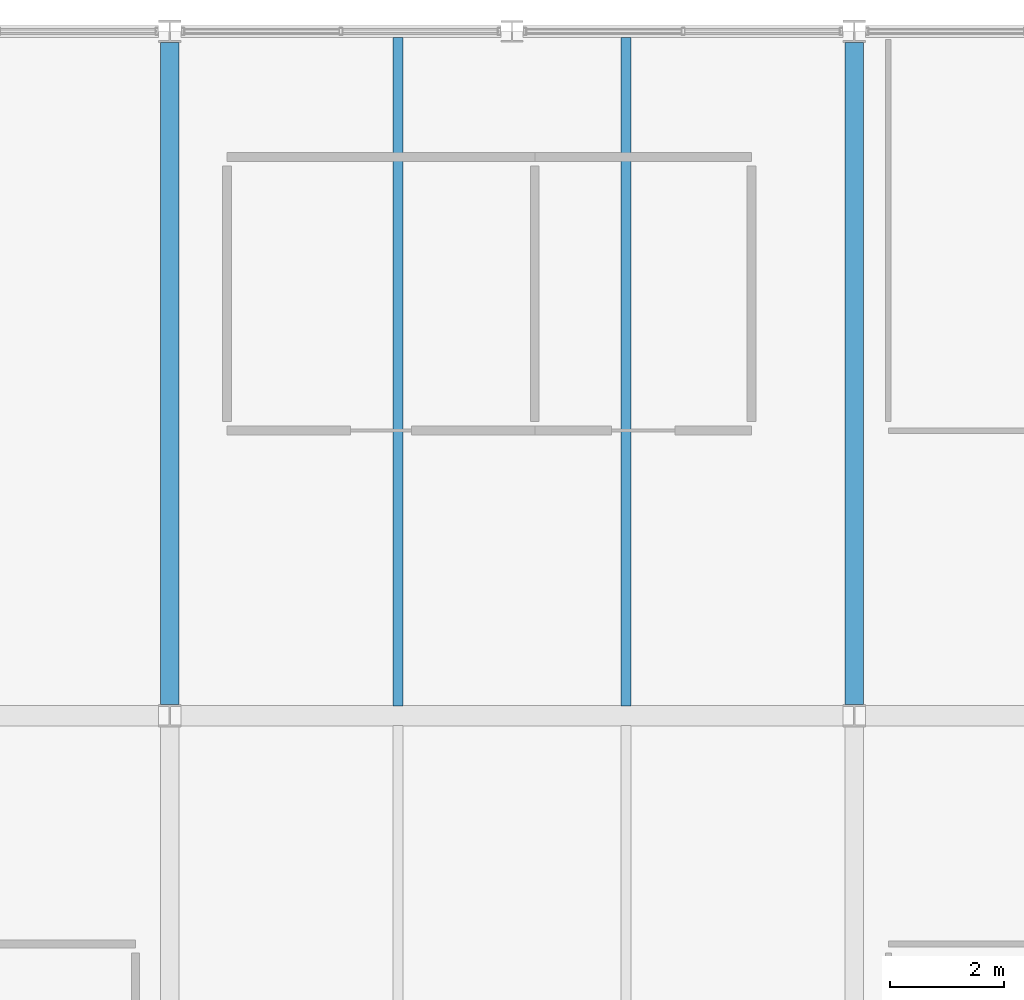
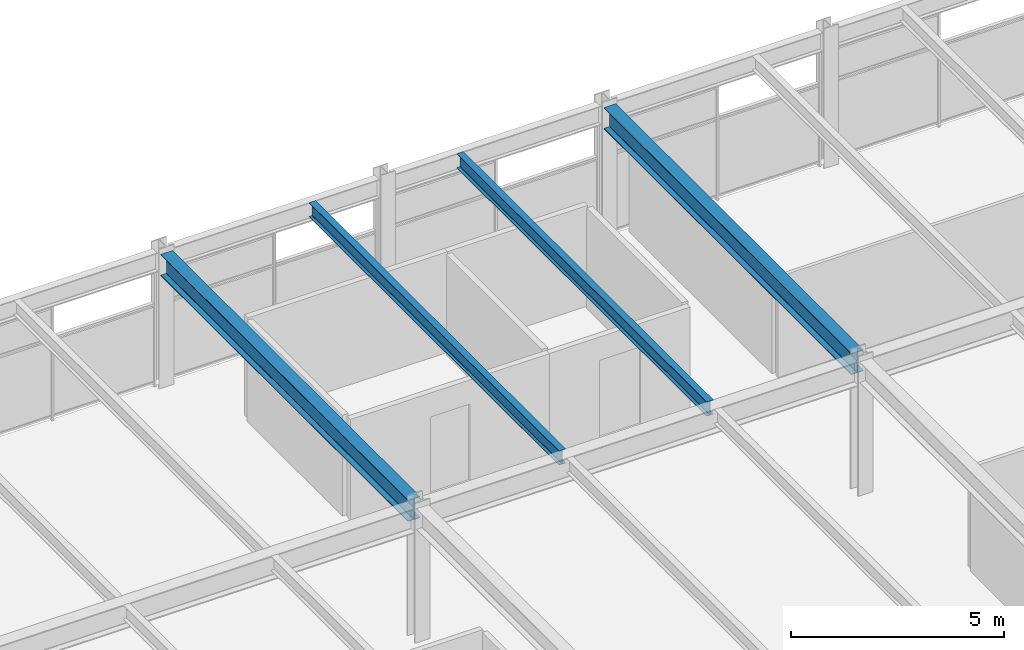
# One storey, part 24 of 52: 4 beams.
"""IFC4 building model written with IfcOpenShell, lengths in metres."""

from ifc_helpers import new_model, si_unit, direction, frame, origin, origin_2d, place, context, subcontext, project, spatial, i_section, extrude, material, material_profile, profile_set, type_object, element, save


model = new_model("IFC4")

# Units and contexts
model_context = context("Model", 3, precision=1e-05, world=origin(), true_north=direction((0.0, 1.0)))
body_context = subcontext(model_context, "Body", "Model", "MODEL_VIEW")
ifc_project = project(units=[si_unit("LENGTHUNIT", "METRE"), si_unit("AREAUNIT", "SQUARE_METRE"), si_unit("VOLUMEUNIT", "CUBIC_METRE"), si_unit("PLANEANGLEUNIT", "RADIAN"), si_unit("MASSUNIT", "GRAM", prefix="KILO")], contexts=[model_context])

# Site, building, storey
site_placement = place(None, origin())
site = spatial("IfcSite", under=ifc_project, at=site_placement, CompositionType="ELEMENT")
building_placement = place(site_placement, origin())
building = spatial("IfcBuilding", under=site, at=building_placement, Name="Girod Span Mobility Hub", CompositionType="ELEMENT")
storey_placement = place(building_placement, frame((0.0, 0.0, 45.60009765625)))
storey = spatial("IfcBuildingStorey", under=building, at=storey_placement, Name="L11", CompositionType="ELEMENT", Elevation=45.60009765625)

# Beams
ifc_material_1 = material(Name="Steel A992 Grade 50", Category="steel")
ifc_material_profile_1 = material_profile(ifc_material_1, i_section(OverallWidth=0.178955078125, OverallDepth=0.409912109375, WebThickness=0.0087890625, FlangeThickness=0.014404296875, FilletRadius=0.012939453125, at=origin_2d()), Name="W16X45")
ifc_profile_set_1 = profile_set([ifc_material_profile_1], Name="Steel A992 Grade 50")
beam_type_1 = type_object("IfcBeamType", Name="BM-STL-W16X45", PredefinedType="BEAM", material=ifc_profile_set_1)
for number, where, z_axis, x_axis, name in (
    (1, (76.0, 57.174560546875, 3.635009765625), (0.0, 1.0, 0.0), (-1.0, 0.0, 0.0), "Composite Floorbeam 7/E-1 L11"),
    (2, (80.0, 57.174560546875, 3.635009765625), (0.0, 1.0, 0.0), (-1.0, 0.0, 0.0), "Composite Floorbeam 7/E-2 L11"),
):
    element("IfcBeam", number, at=place(storey_placement, frame(where, z_axis=z_axis, x_axis=x_axis)), inside=storey, type_object=beam_type_1, Name=name, PredefinedType="BEAM", context=body_context, shape_type="SweptSolid", body=[
        extrude(i_section(OverallWidth=0.178955078125, OverallDepth=0.409912109375, WebThickness=0.0087890625, FlangeThickness=0.014404296875, FilletRadius=0.012939453125, at=origin_2d()), origin(), (0.0, 0.0, 1.0), 11.722412109375),
    ])
ifc_material_2 = material(Name="Steel A992 Grade 50", Category="steel")
ifc_material_profile_2 = material_profile(ifc_material_2, i_section(OverallWidth=0.323974609375, OverallDepth=0.611083984375, WebThickness=0.0126953125, FlangeThickness=0.01904296875, FilletRadius=0.014892578125, at=origin_2d()), Name="W24X104")
ifc_profile_set_2 = profile_set([ifc_material_profile_2], Name="Steel A992 Grade 50")
beam_type_2 = type_object("IfcBeamType", Name="BM-STL-W24X104", PredefinedType="BEAM", material=ifc_profile_set_2)
for number, where, z_axis, x_axis, name in (
    (3, (72.0, 57.193603515625, 3.534423828125), (0.0, 1.0, 0.0), (-1.0, 0.0, 0.0), "Tie Girder 7/E-F L11"),
    (4, (84.0, 57.193603515625, 3.534423828125), (0.0, 1.0, 0.0), (-1.0, 0.0, 0.0), "Tie Girder 8/E-F L11"),
):
    element("IfcBeam", number, at=place(storey_placement, frame(where, z_axis=z_axis, x_axis=x_axis)), inside=storey, type_object=beam_type_2, Name=name, PredefinedType="BEAM", context=body_context, shape_type="SweptSolid", body=[
        extrude(i_section(OverallWidth=0.323974609375, OverallDepth=0.611083984375, WebThickness=0.0126953125, FlangeThickness=0.01904296875, FilletRadius=0.014892578125, at=origin_2d()), origin(), (0.0, 0.0, 1.0), 11.61279296875),
    ])

save(model, "model.ifc")
